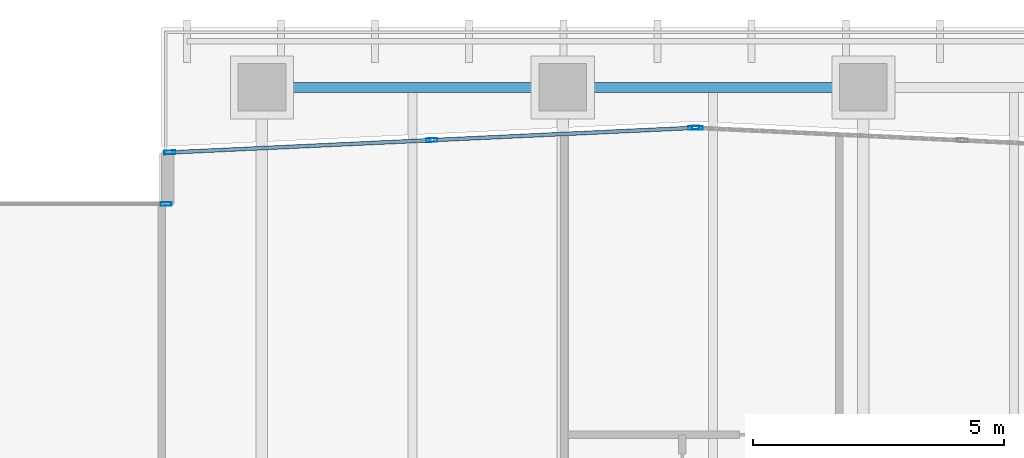
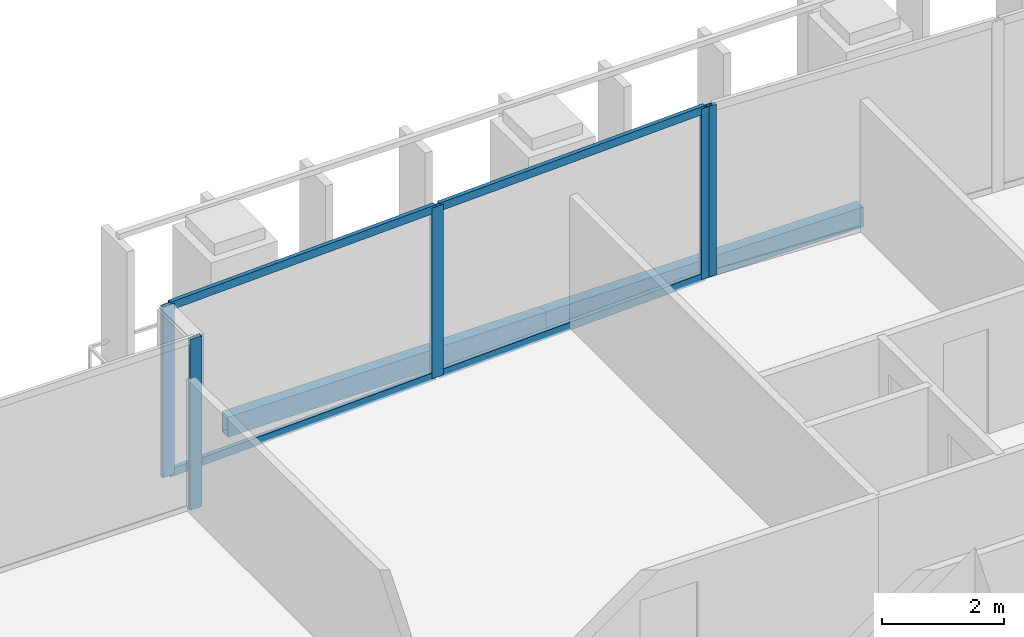
# One storey, part 15 of 39: 9 members, 2 beams, 3 elements without a shape of their own.
"""IFC4 building model written with IfcOpenShell, lengths in metres."""

from ifc_helpers import new_model, si_unit, direction, frame, origin, origin_2d, place, context, subcontext, project, spatial, hollow_rectangle, extrude, material, layer, layer_set, material_profile, profile_set, type_object, element, aggregate, save


model = new_model("IFC4")

# Units and contexts
model_context = context("Model", 3, precision=1e-05, world=origin(), true_north=direction((0.0, 1.0)))
body_context = subcontext(model_context, "Body", "Model", "MODEL_VIEW")
ifc_project = project(units=[si_unit("LENGTHUNIT", "METRE"), si_unit("AREAUNIT", "SQUARE_METRE"), si_unit("VOLUMEUNIT", "CUBIC_METRE"), si_unit("PLANEANGLEUNIT", "RADIAN"), si_unit("MASSUNIT", "GRAM", prefix="KILO")], contexts=[model_context])

# Site, building, storey
site_placement = place(None, origin())
site = spatial("IfcSite", under=ifc_project, at=site_placement, CompositionType="ELEMENT")
building_placement = place(site_placement, origin())
building = spatial("IfcBuilding", under=site, at=building_placement, Name="Tanjung Sevakor Pilgrim Tower", CompositionType="ELEMENT")
storey_placement = place(building_placement, frame((0.0, 0.0, 108.570068359375)))
storey = spatial("IfcBuildingStorey", under=building, at=storey_placement, Name="L30", CompositionType="ELEMENT", Elevation=108.570068359375)

# Beams
ifc_material_1 = material(Name="Steel S355J2", Category="steel")
ifc_material_profile_1 = material_profile(ifc_material_1, hollow_rectangle(XDim=0.199951171875, YDim=0.39990234375, WallThickness=0.01611328125, at=origin_2d()))
ifc_profile_set_1 = profile_set([ifc_material_profile_1], Name="Steel S355J2")
beam_type = type_object("IfcBeamType", Name="BM-B-SP2-RHS_400x200x16", PredefinedType="SPANDREL", material=ifc_profile_set_1)
for number, where, z_axis, x_axis, name in (
    (1, (54.0, 56.39990234375, -0.420166015625), (1.0, 0.0, 0.0), (0.0, 1.0, 0.0), "L30 Spandrel MAIN N-08"),
    (2, (60.0, 56.39990234375, -0.420166015625), (1.0, 0.0, 0.0), (0.0, 1.0, 0.0), "L30 Spandrel MAIN N-10"),
):
    element("IfcBeam", number, at=place(storey_placement, frame(where, z_axis=z_axis, x_axis=x_axis)), inside=storey, type_object=beam_type, Name=name, PredefinedType="SPANDREL", context=body_context, shape_type="SweptSolid", body=[
        extrude(hollow_rectangle(XDim=0.199951171875, YDim=0.39990234375, WallThickness=0.01611328125, at=origin_2d()), origin(), (0.0, 0.0, 1.0), 6.0),
    ])

# Curtain wall, member
ifc_material_2 = material(Name="Aluminium 6063-T6 and Low-E Glass", Category="aluminium")
ifc_layer_1 = layer(ifc_material_2, 0.199951171875)
ifc_layer_set_1 = layer_set([ifc_layer_1], Name="CW-SYS-PRAY")
curtain_wall_type_1 = type_object("IfcCurtainWallType", Name="CW-SYS-PRAY", PredefinedType="NOTDEFINED", material=ifc_layer_set_1)
curtain_wall_1_placement = place(storey_placement, origin())
curtain_wall_1 = element("IfcCurtainWall", 3, at=curtain_wall_1_placement, inside=storey, type_object=curtain_wall_type_1, Name="L30 Curtain Wall CW-PRY-L30-22", PredefinedType="NOTDEFINED")
ifc_material_3 = material(Name="Aluminium 6063-T6", Category="aluminium")
ifc_material_profile_2 = material_profile(ifc_material_3, hollow_rectangle(XDim=0.074951171875, YDim=0.219970703125, WallThickness=0.0048828125, at=origin_2d()))
ifc_profile_set_2 = profile_set([ifc_material_profile_2], Name="Aluminium 6063-T6")
member_type_1 = type_object("IfcMemberType", Name="TYPE-CWM-2", PredefinedType="MULLION", material=ifc_profile_set_2)
member_1_placement = place(storey_placement, frame((62.6875, 55.59326171875, 0.0), z_axis=(0.0, 0.0, 1.0), x_axis=(-0.046903911367, -0.998899405896, 0.0)))
member_1 = element("IfcMember", 4, at=member_1_placement, type_object=member_type_1, Name="CW-PRY mullion 3", PredefinedType="MULLION", context=body_context, shape_type="SweptSolid", body=[
    extrude(hollow_rectangle(XDim=0.074951171875, YDim=0.219970703125, WallThickness=0.0048828125, at=origin_2d()), origin(), (0.0, 0.0, 1.0), 3.409912109375),
])
aggregate(curtain_wall_1, [member_1])

# Curtain wall, members
curtain_wall_2_placement = place(storey_placement, origin())
curtain_wall_2 = element("IfcCurtainWall", 5, at=curtain_wall_2_placement, inside=storey, type_object=curtain_wall_type_1, Name="L30 Curtain Wall CW-PRY-L30-23", PredefinedType="NOTDEFINED")
member_2_placement = place(storey_placement, frame((62.612548828125, 55.59326171875, 0.0), z_axis=(0.0, 0.0, 1.0), x_axis=(0.046903192699, -0.998899439641, 0.0)))
member_2 = element("IfcMember", 6, at=member_2_placement, type_object=member_type_1, Name="CW-PRY mullion 1", PredefinedType="MULLION", context=body_context, shape_type="SweptSolid", body=[
    extrude(hollow_rectangle(XDim=0.074951171875, YDim=0.219970703125, WallThickness=0.0048828125, at=origin_2d()), origin(), (0.0, 0.0, 1.0), 3.409912109375),
])
member_3_placement = place(storey_placement, frame((57.387451171875, 55.347900390625, 0.0), z_axis=(0.0, 0.0, 1.0), x_axis=(0.046903192699, -0.998899439641, 0.0)))
member_3 = element("IfcMember", 7, at=member_3_placement, type_object=member_type_1, Name="CW-PRY mullion 2", PredefinedType="MULLION", context=body_context, shape_type="SweptSolid", body=[
    extrude(hollow_rectangle(XDim=0.074951171875, YDim=0.219970703125, WallThickness=0.0048828125, at=origin_2d()), origin(), (0.0, 0.0, 1.0), 3.409912109375),
])
member_4_placement = place(storey_placement, frame((52.162353515625, 55.1025390625, 0.0), z_axis=(0.0, 0.0, 1.0), x_axis=(0.046903192699, -0.998899439641, 0.0)))
member_4 = element("IfcMember", 8, at=member_4_placement, type_object=member_type_1, Name="CW-PRY mullion 3", PredefinedType="MULLION", context=body_context, shape_type="SweptSolid", body=[
    extrude(hollow_rectangle(XDim=0.074951171875, YDim=0.219970703125, WallThickness=0.0048828125, at=origin_2d()), origin(), (0.0, 0.0, 1.0), 3.409912109375),
])

# Curtain wall, member
ifc_material_4 = material(Name="Aluminium 6063-T6 and Low-E Glass", Category="aluminium")
ifc_layer_2 = layer(ifc_material_4, 0.179931640625)
ifc_layer_set_2 = layer_set([ifc_layer_2], Name="CW-SYS-CLEFT")
curtain_wall_type_2 = type_object("IfcCurtainWallType", Name="CW-SYS-CLEFT", PredefinedType="NOTDEFINED", material=ifc_layer_set_2)
curtain_wall_3_placement = place(storey_placement, origin())
curtain_wall_3 = element("IfcCurtainWall", 9, at=curtain_wall_3_placement, inside=storey, type_object=curtain_wall_type_2, Name="L30 Curtain Wall CW-CLF-L30-25", PredefinedType="NOTDEFINED")
member_5_placement = place(storey_placement, frame((52.08740234375, 54.074951171875, 0.0), z_axis=(0.0, 0.0, 1.0), x_axis=(0.0, -1.0, 0.0)))
member_5 = element("IfcMember", 10, at=member_5_placement, type_object=member_type_1, Name="CW-CLF mullion 1", PredefinedType="MULLION", context=body_context, shape_type="SweptSolid", body=[
    extrude(hollow_rectangle(XDim=0.074951171875, YDim=0.219970703125, WallThickness=0.0048828125, at=origin_2d()), origin(), (0.0, 0.0, 1.0), 3.409912109375),
])
aggregate(curtain_wall_3, [member_5])

# Member
ifc_material_5 = material(Name="Aluminium 6063-T6", Category="aluminium")
ifc_material_profile_3 = material_profile(ifc_material_5, hollow_rectangle(XDim=0.074951171875, YDim=0.159912109375, WallThickness=0.00439453125, at=origin_2d()))
ifc_profile_set_3 = profile_set([ifc_material_profile_3], Name="Aluminium 6063-T6")
member_type_2 = type_object("IfcMemberType", Name="TYPE-CWT-2", PredefinedType="USERDEFINED", material=ifc_profile_set_3)
member_6_placement = place(storey_placement, frame((62.5751953125, 55.59130859375, 0.037353515625), z_axis=(-0.998900577389, -0.046878955753, 0.0), x_axis=(0.046878955753, -0.998900577389, 0.0)))
member_6 = element("IfcMember", 11, at=member_6_placement, type_object=member_type_2, Name="CW-PRY transom 1.1", ObjectType="TRANSOM", PredefinedType="USERDEFINED", context=body_context, shape_type="SweptSolid", body=[
    extrude(hollow_rectangle(XDim=0.074951171875, YDim=0.159912109375, WallThickness=0.00439453125, at=origin_2d()), origin(), (0.0, 0.0, 1.0), 5.15576171875),
])

member_7_placement = place(storey_placement, frame((62.5751953125, 55.59130859375, 3.372314453125), z_axis=(-0.998900577389, -0.046878955753, 0.0), x_axis=(0.046878955753, -0.998900577389, 0.0)))
member_7 = element("IfcMember", 12, at=member_7_placement, type_object=member_type_2, Name="CW-PRY transom 1.2", ObjectType="TRANSOM", PredefinedType="USERDEFINED", context=body_context, shape_type="SweptSolid", body=[
    extrude(hollow_rectangle(XDim=0.074951171875, YDim=0.159912109375, WallThickness=0.00439453125, at=origin_2d()), origin(), (0.0, 0.0, 1.0), 5.15576171875),
])

member_8_placement = place(storey_placement, frame((57.35009765625, 55.345947265625, 0.037353515625), z_axis=(-0.998900577389, -0.046878955753, 0.0), x_axis=(0.046878955753, -0.998900577389, 0.0)))
member_8 = element("IfcMember", 13, at=member_8_placement, type_object=member_type_2, Name="CW-PRY transom 2.1", ObjectType="TRANSOM", PredefinedType="USERDEFINED", context=body_context, shape_type="SweptSolid", body=[
    extrude(hollow_rectangle(XDim=0.074951171875, YDim=0.159912109375, WallThickness=0.00439453125, at=origin_2d()), origin(), (0.0, 0.0, 1.0), 5.15576171875),
])

member_9_placement = place(storey_placement, frame((57.35009765625, 55.345947265625, 3.372314453125), z_axis=(-0.998900577389, -0.046878955753, 0.0), x_axis=(0.046878955753, -0.998900577389, 0.0)))
member_9 = element("IfcMember", 14, at=member_9_placement, type_object=member_type_2, Name="CW-PRY transom 2.2", ObjectType="TRANSOM", PredefinedType="USERDEFINED", context=body_context, shape_type="SweptSolid", body=[
    extrude(hollow_rectangle(XDim=0.074951171875, YDim=0.159912109375, WallThickness=0.00439453125, at=origin_2d()), origin(), (0.0, 0.0, 1.0), 5.15576171875),
])

aggregate(curtain_wall_2, [member_2, member_3, member_4, member_6, member_7, member_8, member_9])

save(model, "model.ifc")
